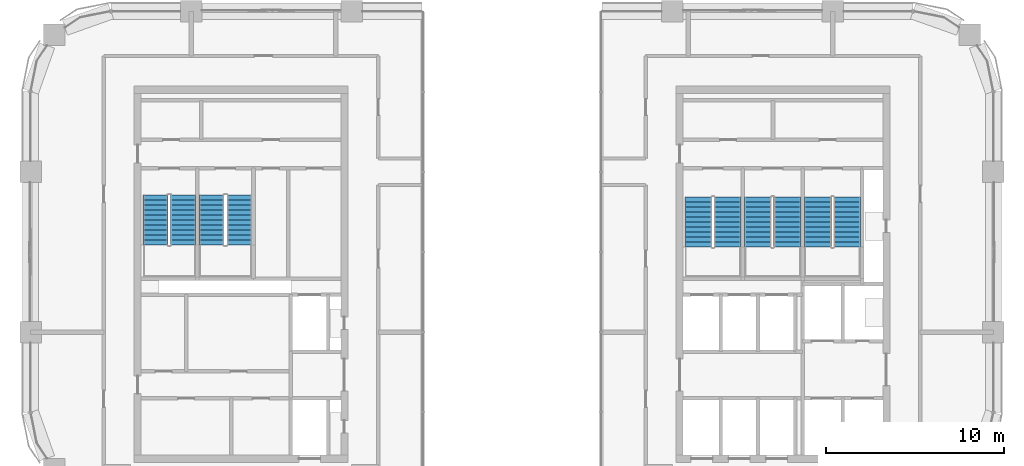
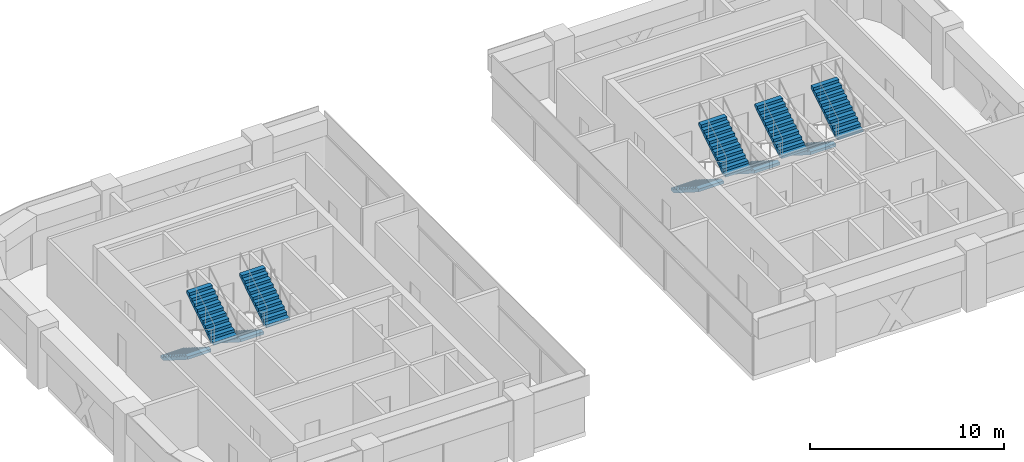
# One storey, part 9 of 16: 10 stair flights, 5 elements without a shape of their own.
"""IFC4 building model written with IfcOpenShell, lengths in metres."""

from ifc_helpers import new_model, si_unit, direction, frame, origin, place, context, subcontext, project, spatial, polyline, outline, extrude, material, type_object, element, aggregate, save


model = new_model("IFC4")

# Units and contexts
model_context = context("Model", 3, precision=1e-05, world=origin(), true_north=direction((0.0, 1.0)))
body_context = subcontext(model_context, "Body", "Model", "MODEL_VIEW")
ifc_project = project(units=[si_unit("LENGTHUNIT", "METRE"), si_unit("AREAUNIT", "SQUARE_METRE"), si_unit("VOLUMEUNIT", "CUBIC_METRE"), si_unit("PLANEANGLEUNIT", "RADIAN"), si_unit("MASSUNIT", "GRAM", prefix="KILO")], contexts=[model_context])

# Site, building, storey
site_placement = place(None, origin())
site = spatial("IfcSite", under=ifc_project, at=site_placement, CompositionType="ELEMENT")
building_placement = place(site_placement, origin())
building = spatial("IfcBuilding", under=site, at=building_placement, Name="Tessera Arch", CompositionType="ELEMENT")
storey_placement = place(building_placement, frame((0.0, 0.0, 218.89990234375)))
storey = spatial("IfcBuildingStorey", under=building, at=storey_placement, Name="L52", CompositionType="ELEMENT", Elevation=218.89990234375)

# Stair, stair flights
ifc_material_1 = material(Name="Concrete C40/50", Category="concrete")
stair_type_1 = type_object("IfcStairType", Name="Dogleg stair 1400", PredefinedType="HALF_TURN_STAIR", material=ifc_material_1)
stair_1_placement = place(storey_placement, origin())
stair_1 = element("IfcStair", 1, at=stair_1_placement, inside=storey, type_object=stair_type_1, Name="L52 S2a", PredefinedType="HALF_TURN_STAIR")
ifc_material_2 = material(Name="Concrete C40/50", Category="concrete")
stair_flight_type_1 = type_object("IfcStairFlightType", Name="Stair flight 1400", PredefinedType="STRAIGHT", material=ifc_material_2)
stair_flight_1_placement = place(storey_placement, frame((7.0, 43.699951171875, 0.0), z_axis=(0.0, 0.0, 1.0), x_axis=(0.0, -1.0, 0.0)))
stair_flight_1 = element("IfcStairFlight", 2, at=stair_flight_1_placement, type_object=stair_flight_type_1, Name="S2a flight 1", NumberOfRisers=11, NumberOfTreads=10, PredefinedType="STRAIGHT", RiserHeight=0.177272727, TreadLength=0.28, context=body_context, shape_type="SweptSolid", body=[
    extrude(outline(polyline([(0.0, 0.0), (0.0, 0.17724609375), (0.280029296875, 0.17724609375), (0.280029296875, 0.3544921875), (0.56005859375, 0.3544921875), (0.56005859375, 0.53173828125), (0.840087890625, 0.53173828125), (0.840087890625, 0.708984375), (1.1201171875, 0.708984375), (1.1201171875, 0.886474609375), (1.39990234375, 0.886474609375), (1.39990234375, 1.063720703125), (1.679931640625, 1.063720703125), (1.679931640625, 1.240966796875), (1.9599609375, 1.240966796875), (1.9599609375, 1.418212890625), (2.239990234375, 1.418212890625), (2.239990234375, 1.595458984375), (2.52001953125, 1.595458984375), (2.52001953125, 1.772705078125), (2.800048828125, 1.772705078125), (2.800048828125, 1.949951171875), (2.800048828125, 1.59521484375), (0.2802734375, 0.0), (0.0, 0.0)])), frame((0.0, 0.699951171875, 0.0), z_axis=(0.0, -1.0, 0.0), x_axis=(1.0, 0.0, 0.0)), (0.0, 0.0, 1.0), 1.39990234375),
])
stair_flight_2_placement = place(storey_placement, frame((8.550048828125, 40.89990234375, 1.9501953125), z_axis=(0.0, 0.0, 1.0), x_axis=(0.0, 1.0, 0.0)))
stair_flight_2 = element("IfcStairFlight", 3, at=stair_flight_2_placement, type_object=stair_flight_type_1, Name="S2a flight 2", NumberOfRisers=11, NumberOfTreads=10, PredefinedType="STRAIGHT", RiserHeight=0.177272727, TreadLength=0.28, context=body_context, shape_type="SweptSolid", body=[
    extrude(outline(polyline([(0.0, 0.0), (0.0, 0.17724609375), (0.280029296875, 0.17724609375), (0.280029296875, 0.3544921875), (0.56005859375, 0.3544921875), (0.56005859375, 0.53173828125), (0.840087890625, 0.53173828125), (0.840087890625, 0.708984375), (1.1201171875, 0.708984375), (1.1201171875, 0.886474609375), (1.39990234375, 0.886474609375), (1.39990234375, 1.063720703125), (1.679931640625, 1.063720703125), (1.679931640625, 1.240966796875), (1.9599609375, 1.240966796875), (1.9599609375, 1.418212890625), (2.239990234375, 1.418212890625), (2.239990234375, 1.595458984375), (2.52001953125, 1.595458984375), (2.52001953125, 1.772705078125), (2.800048828125, 1.772705078125), (2.800048828125, 1.949951171875), (2.800048828125, 1.59521484375), (0.2802734375, 0.0), (0.0, 0.0)])), frame((0.0, 0.699951171875, 0.0), z_axis=(0.0, -1.0, 0.0), x_axis=(1.0, 0.0, 0.0)), (0.0, 0.0, 1.0), 1.39990234375),
])
aggregate(stair_1, [stair_flight_1, stair_flight_2])

stair_2_placement = place(storey_placement, origin())
stair_2 = element("IfcStair", 4, at=stair_2_placement, inside=storey, type_object=stair_type_1, Name="L52 S2b", PredefinedType="HALF_TURN_STAIR")
stair_flight_3_placement = place(storey_placement, frame((10.14990234375, 43.699951171875, 0.0), z_axis=(0.0, 0.0, 1.0), x_axis=(0.0, -1.0, 0.0)))
stair_flight_3 = element("IfcStairFlight", 5, at=stair_flight_3_placement, type_object=stair_flight_type_1, Name="S2b flight 1", NumberOfRisers=11, NumberOfTreads=10, PredefinedType="STRAIGHT", RiserHeight=0.177272727, TreadLength=0.28, context=body_context, shape_type="SweptSolid", body=[
    extrude(outline(polyline([(0.0, 0.0), (0.0, 0.17724609375), (0.280029296875, 0.17724609375), (0.280029296875, 0.3544921875), (0.56005859375, 0.3544921875), (0.56005859375, 0.53173828125), (0.840087890625, 0.53173828125), (0.840087890625, 0.708984375), (1.1201171875, 0.708984375), (1.1201171875, 0.886474609375), (1.39990234375, 0.886474609375), (1.39990234375, 1.063720703125), (1.679931640625, 1.063720703125), (1.679931640625, 1.240966796875), (1.9599609375, 1.240966796875), (1.9599609375, 1.418212890625), (2.239990234375, 1.418212890625), (2.239990234375, 1.595458984375), (2.52001953125, 1.595458984375), (2.52001953125, 1.772705078125), (2.800048828125, 1.772705078125), (2.800048828125, 1.949951171875), (2.800048828125, 1.59521484375), (0.2802734375, 0.0), (0.0, 0.0)])), frame((0.0, 0.699951171875, 0.0), z_axis=(0.0, -1.0, 0.0), x_axis=(1.0, 0.0, 0.0)), (0.0, 0.0, 1.0), 1.39990234375),
])
stair_flight_4_placement = place(storey_placement, frame((11.699951171875, 40.89990234375, 1.9501953125), z_axis=(0.0, 0.0, 1.0), x_axis=(0.0, 1.0, 0.0)))
stair_flight_4 = element("IfcStairFlight", 6, at=stair_flight_4_placement, type_object=stair_flight_type_1, Name="S2b flight 2", NumberOfRisers=11, NumberOfTreads=10, PredefinedType="STRAIGHT", RiserHeight=0.177272727, TreadLength=0.28, context=body_context, shape_type="SweptSolid", body=[
    extrude(outline(polyline([(0.0, 0.0), (0.0, 0.17724609375), (0.280029296875, 0.17724609375), (0.280029296875, 0.3544921875), (0.56005859375, 0.3544921875), (0.56005859375, 0.53173828125), (0.840087890625, 0.53173828125), (0.840087890625, 0.708984375), (1.1201171875, 0.708984375), (1.1201171875, 0.886474609375), (1.39990234375, 0.886474609375), (1.39990234375, 1.063720703125), (1.679931640625, 1.063720703125), (1.679931640625, 1.240966796875), (1.9599609375, 1.240966796875), (1.9599609375, 1.418212890625), (2.239990234375, 1.418212890625), (2.239990234375, 1.595458984375), (2.52001953125, 1.595458984375), (2.52001953125, 1.772705078125), (2.800048828125, 1.772705078125), (2.800048828125, 1.949951171875), (2.800048828125, 1.59521484375), (0.2802734375, 0.0), (0.0, 0.0)])), frame((0.0, 0.699951171875, 0.0), z_axis=(0.0, -1.0, 0.0), x_axis=(1.0, 0.0, 0.0)), (0.0, 0.0, 1.0), 1.39990234375),
])
aggregate(stair_2, [stair_flight_3, stair_flight_4])

ifc_material_3 = material(Name="Concrete C40/50", Category="concrete")
stair_type_2 = type_object("IfcStairType", Name="Dogleg stair 1520", PredefinedType="HALF_TURN_STAIR", material=ifc_material_3)
stair_3_placement = place(storey_placement, origin())
stair_3 = element("IfcStair", 7, at=stair_3_placement, inside=storey, type_object=stair_type_2, Name="L52 S1a", PredefinedType="HALF_TURN_STAIR")
ifc_material_4 = material(Name="Concrete C40/50", Category="concrete")
stair_flight_type_2 = type_object("IfcStairFlightType", Name="Stair flight 1520", PredefinedType="STRAIGHT", material=ifc_material_4)
stair_flight_5_placement = place(storey_placement, frame((37.4599609375, 43.580078125, 0.0), z_axis=(0.0, 0.0, 1.0), x_axis=(0.0, -1.0, 0.0)))
stair_flight_5 = element("IfcStairFlight", 8, at=stair_flight_5_placement, type_object=stair_flight_type_2, Name="S1a flight 1", NumberOfRisers=11, NumberOfTreads=10, PredefinedType="STRAIGHT", RiserHeight=0.177272727, TreadLength=0.28, context=body_context, shape_type="SweptSolid", body=[
    extrude(outline(polyline([(0.0, 0.0), (0.0, 0.17724609375), (0.280029296875, 0.17724609375), (0.280029296875, 0.3544921875), (0.56005859375, 0.3544921875), (0.56005859375, 0.53173828125), (0.840087890625, 0.53173828125), (0.840087890625, 0.708984375), (1.1201171875, 0.708984375), (1.1201171875, 0.886474609375), (1.39990234375, 0.886474609375), (1.39990234375, 1.063720703125), (1.679931640625, 1.063720703125), (1.679931640625, 1.240966796875), (1.9599609375, 1.240966796875), (1.9599609375, 1.418212890625), (2.239990234375, 1.418212890625), (2.239990234375, 1.595458984375), (2.52001953125, 1.595458984375), (2.52001953125, 1.772705078125), (2.800048828125, 1.772705078125), (2.800048828125, 1.949951171875), (2.800048828125, 1.59521484375), (0.2802734375, 0.0), (0.0, 0.0)])), frame((0.0, 0.760009765625, 0.0), z_axis=(0.0, -1.0, 0.0), x_axis=(1.0, 0.0, 0.0)), (0.0, 0.0, 1.0), 1.52001953125),
])
stair_flight_6_placement = place(storey_placement, frame((39.090087890625, 40.780029296875, 1.9501953125), z_axis=(0.0, 0.0, 1.0), x_axis=(0.0, 1.0, 0.0)))
stair_flight_6 = element("IfcStairFlight", 9, at=stair_flight_6_placement, type_object=stair_flight_type_2, Name="S1a flight 2", NumberOfRisers=11, NumberOfTreads=10, PredefinedType="STRAIGHT", RiserHeight=0.177272727, TreadLength=0.28, context=body_context, shape_type="SweptSolid", body=[
    extrude(outline(polyline([(0.0, 0.0), (0.0, 0.17724609375), (0.280029296875, 0.17724609375), (0.280029296875, 0.3544921875), (0.56005859375, 0.3544921875), (0.56005859375, 0.53173828125), (0.840087890625, 0.53173828125), (0.840087890625, 0.708984375), (1.1201171875, 0.708984375), (1.1201171875, 0.886474609375), (1.39990234375, 0.886474609375), (1.39990234375, 1.063720703125), (1.679931640625, 1.063720703125), (1.679931640625, 1.240966796875), (1.9599609375, 1.240966796875), (1.9599609375, 1.418212890625), (2.239990234375, 1.418212890625), (2.239990234375, 1.595458984375), (2.52001953125, 1.595458984375), (2.52001953125, 1.772705078125), (2.800048828125, 1.772705078125), (2.800048828125, 1.949951171875), (2.800048828125, 1.59521484375), (0.2802734375, 0.0), (0.0, 0.0)])), frame((0.0, 0.760009765625, 0.0), z_axis=(0.0, -1.0, 0.0), x_axis=(1.0, 0.0, 0.0)), (0.0, 0.0, 1.0), 1.52001953125),
])
aggregate(stair_3, [stair_flight_5, stair_flight_6])

stair_4_placement = place(storey_placement, origin())
stair_4 = element("IfcStair", 10, at=stair_4_placement, inside=storey, type_object=stair_type_2, Name="L52 S1b", PredefinedType="HALF_TURN_STAIR")
stair_flight_7_placement = place(storey_placement, frame((40.81005859375, 43.580078125, 0.0), z_axis=(0.0, 0.0, 1.0), x_axis=(0.0, -1.0, 0.0)))
stair_flight_7 = element("IfcStairFlight", 11, at=stair_flight_7_placement, type_object=stair_flight_type_2, Name="S1b flight 1", NumberOfRisers=11, NumberOfTreads=10, PredefinedType="STRAIGHT", RiserHeight=0.177272727, TreadLength=0.28, context=body_context, shape_type="SweptSolid", body=[
    extrude(outline(polyline([(0.0, 0.0), (0.0, 0.17724609375), (0.280029296875, 0.17724609375), (0.280029296875, 0.3544921875), (0.56005859375, 0.3544921875), (0.56005859375, 0.53173828125), (0.840087890625, 0.53173828125), (0.840087890625, 0.708984375), (1.1201171875, 0.708984375), (1.1201171875, 0.886474609375), (1.39990234375, 0.886474609375), (1.39990234375, 1.063720703125), (1.679931640625, 1.063720703125), (1.679931640625, 1.240966796875), (1.9599609375, 1.240966796875), (1.9599609375, 1.418212890625), (2.239990234375, 1.418212890625), (2.239990234375, 1.595458984375), (2.52001953125, 1.595458984375), (2.52001953125, 1.772705078125), (2.800048828125, 1.772705078125), (2.800048828125, 1.949951171875), (2.800048828125, 1.59521484375), (0.2802734375, 0.0), (0.0, 0.0)])), frame((0.0, 0.760009765625, 0.0), z_axis=(0.0, -1.0, 0.0), x_axis=(1.0, 0.0, 0.0)), (0.0, 0.0, 1.0), 1.52001953125),
])
stair_flight_8_placement = place(storey_placement, frame((42.43994140625, 40.780029296875, 1.9501953125), z_axis=(0.0, 0.0, 1.0), x_axis=(0.0, 1.0, 0.0)))
stair_flight_8 = element("IfcStairFlight", 12, at=stair_flight_8_placement, type_object=stair_flight_type_2, Name="S1b flight 2", NumberOfRisers=11, NumberOfTreads=10, PredefinedType="STRAIGHT", RiserHeight=0.177272727, TreadLength=0.28, context=body_context, shape_type="SweptSolid", body=[
    extrude(outline(polyline([(0.0, 0.0), (0.0, 0.17724609375), (0.280029296875, 0.17724609375), (0.280029296875, 0.3544921875), (0.56005859375, 0.3544921875), (0.56005859375, 0.53173828125), (0.840087890625, 0.53173828125), (0.840087890625, 0.708984375), (1.1201171875, 0.708984375), (1.1201171875, 0.886474609375), (1.39990234375, 0.886474609375), (1.39990234375, 1.063720703125), (1.679931640625, 1.063720703125), (1.679931640625, 1.240966796875), (1.9599609375, 1.240966796875), (1.9599609375, 1.418212890625), (2.239990234375, 1.418212890625), (2.239990234375, 1.595458984375), (2.52001953125, 1.595458984375), (2.52001953125, 1.772705078125), (2.800048828125, 1.772705078125), (2.800048828125, 1.949951171875), (2.800048828125, 1.59521484375), (0.2802734375, 0.0), (0.0, 0.0)])), frame((0.0, 0.760009765625, 0.0), z_axis=(0.0, -1.0, 0.0), x_axis=(1.0, 0.0, 0.0)), (0.0, 0.0, 1.0), 1.52001953125),
])
aggregate(stair_4, [stair_flight_7, stair_flight_8])

stair_5_placement = place(storey_placement, origin())
stair_5 = element("IfcStair", 13, at=stair_5_placement, inside=storey, type_object=stair_type_2, Name="L52 S1c", PredefinedType="HALF_TURN_STAIR")
stair_flight_9_placement = place(storey_placement, frame((44.159912109375, 43.580078125, 0.0), z_axis=(0.0, 0.0, 1.0), x_axis=(0.0, -1.0, 0.0)))
stair_flight_9 = element("IfcStairFlight", 14, at=stair_flight_9_placement, type_object=stair_flight_type_2, Name="S1c flight 1", NumberOfRisers=11, NumberOfTreads=10, PredefinedType="STRAIGHT", RiserHeight=0.177272727, TreadLength=0.28, context=body_context, shape_type="SweptSolid", body=[
    extrude(outline(polyline([(0.0, 0.0), (0.0, 0.17724609375), (0.280029296875, 0.17724609375), (0.280029296875, 0.3544921875), (0.56005859375, 0.3544921875), (0.56005859375, 0.53173828125), (0.840087890625, 0.53173828125), (0.840087890625, 0.708984375), (1.1201171875, 0.708984375), (1.1201171875, 0.886474609375), (1.39990234375, 0.886474609375), (1.39990234375, 1.063720703125), (1.679931640625, 1.063720703125), (1.679931640625, 1.240966796875), (1.9599609375, 1.240966796875), (1.9599609375, 1.418212890625), (2.239990234375, 1.418212890625), (2.239990234375, 1.595458984375), (2.52001953125, 1.595458984375), (2.52001953125, 1.772705078125), (2.800048828125, 1.772705078125), (2.800048828125, 1.949951171875), (2.800048828125, 1.59521484375), (0.2802734375, 0.0), (0.0, 0.0)])), frame((0.0, 0.760009765625, 0.0), z_axis=(0.0, -1.0, 0.0), x_axis=(1.0, 0.0, 0.0)), (0.0, 0.0, 1.0), 1.52001953125),
])
stair_flight_10_placement = place(storey_placement, frame((45.7900390625, 40.780029296875, 1.9501953125), z_axis=(0.0, 0.0, 1.0), x_axis=(0.0, 1.0, 0.0)))
stair_flight_10 = element("IfcStairFlight", 15, at=stair_flight_10_placement, type_object=stair_flight_type_2, Name="S1c flight 2", NumberOfRisers=11, NumberOfTreads=10, PredefinedType="STRAIGHT", RiserHeight=0.177272727, TreadLength=0.28, context=body_context, shape_type="SweptSolid", body=[
    extrude(outline(polyline([(0.0, 0.0), (0.0, 0.17724609375), (0.280029296875, 0.17724609375), (0.280029296875, 0.3544921875), (0.56005859375, 0.3544921875), (0.56005859375, 0.53173828125), (0.840087890625, 0.53173828125), (0.840087890625, 0.708984375), (1.1201171875, 0.708984375), (1.1201171875, 0.886474609375), (1.39990234375, 0.886474609375), (1.39990234375, 1.063720703125), (1.679931640625, 1.063720703125), (1.679931640625, 1.240966796875), (1.9599609375, 1.240966796875), (1.9599609375, 1.418212890625), (2.239990234375, 1.418212890625), (2.239990234375, 1.595458984375), (2.52001953125, 1.595458984375), (2.52001953125, 1.772705078125), (2.800048828125, 1.772705078125), (2.800048828125, 1.949951171875), (2.800048828125, 1.59521484375), (0.2802734375, 0.0), (0.0, 0.0)])), frame((0.0, 0.760009765625, 0.0), z_axis=(0.0, -1.0, 0.0), x_axis=(1.0, 0.0, 0.0)), (0.0, 0.0, 1.0), 1.52001953125),
])
aggregate(stair_5, [stair_flight_9, stair_flight_10])

save(model, "model.ifc")
